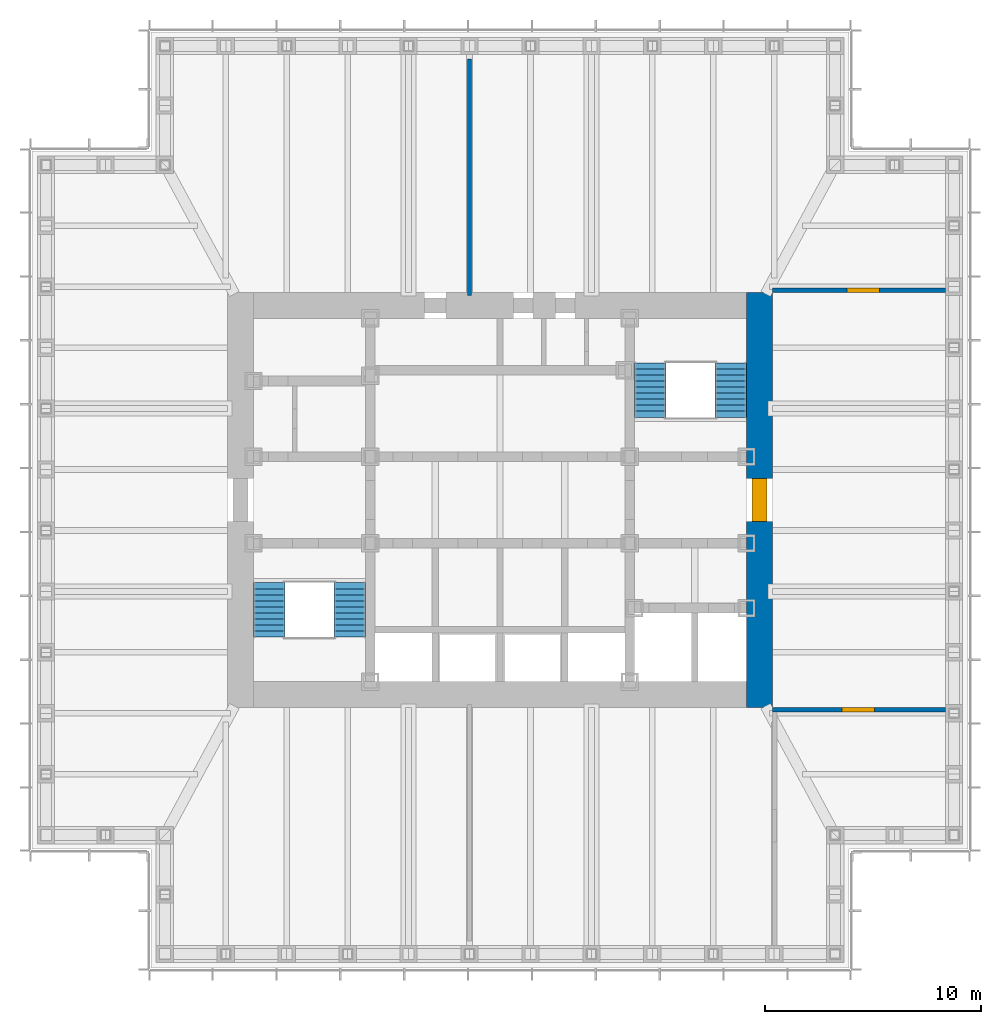
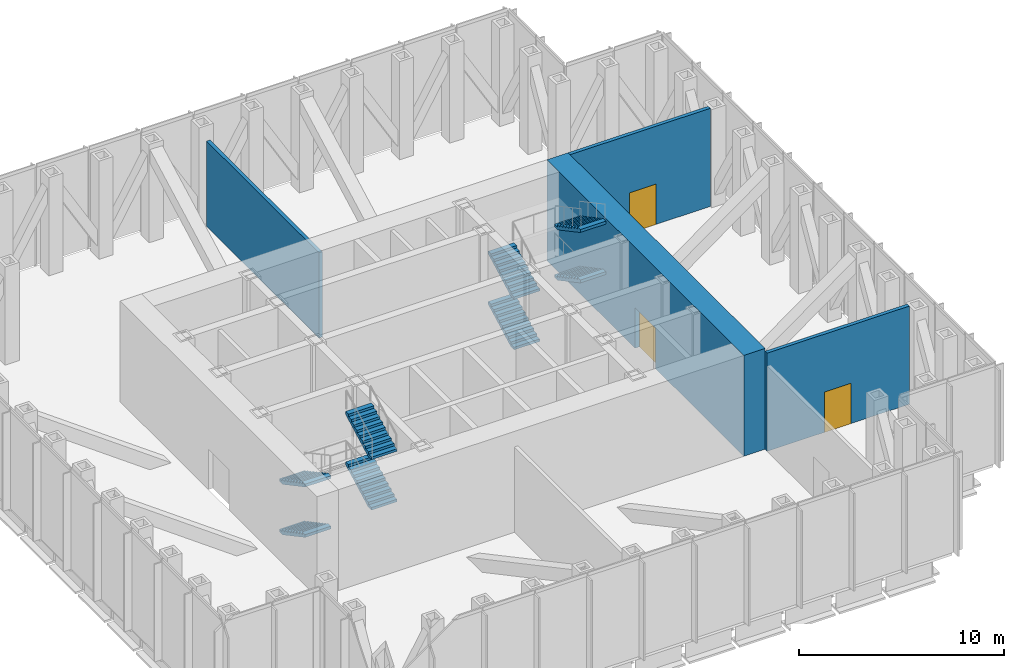
# One storey, part 8 of 12: 8 stair flights, 4 walls, 3 doors, 3 openings, 2 elements without a shape of their own.
"""IFC4 building model written with IfcOpenShell, lengths in metres."""

from ifc_helpers import new_model, si_unit, direction, frame, frame_2d, origin, place, context, subcontext, project, spatial, polyline, rectangle, outline, extrude, material, layer, layer_set, type_object, element, fill, aggregate, save


model = new_model("IFC4")

# Units and contexts
model_context = context("Model", 3, precision=1e-05, world=origin(), true_north=direction((0.0, 1.0)))
body_context = subcontext(model_context, "Body", "Model", "MODEL_VIEW")
ifc_project = project(units=[si_unit("LENGTHUNIT", "METRE"), si_unit("AREAUNIT", "SQUARE_METRE"), si_unit("VOLUMEUNIT", "CUBIC_METRE"), si_unit("PLANEANGLEUNIT", "RADIAN"), si_unit("MASSUNIT", "GRAM", prefix="KILO")], contexts=[model_context])

# Site, building, storey
site_placement = place(None, origin())
site = spatial("IfcSite", under=ifc_project, at=site_placement, CompositionType="ELEMENT")
building_placement = place(site_placement, origin())
building = spatial("IfcBuilding", under=site, at=building_placement, Name="Daluyong Arena Tower", CompositionType="ELEMENT")
storey_placement = place(building_placement, frame((0.0, 0.0, 244.300048828125)))
storey = spatial("IfcBuildingStorey", under=building, at=storey_placement, Name="L55", CompositionType="ELEMENT", Elevation=244.300048828125)

# Wall, opening, door
ifc_material_1 = material(Name="Concrete fc' 60 MPa", Category="concrete")
ifc_layer_1 = layer(ifc_material_1, 1.199951171875)
ifc_layer_set_1 = layer_set([ifc_layer_1], Name="Concrete fc' 60 MPa")
wall_type_1 = type_object("IfcWallType", Name="Core wall 1200", PredefinedType="SHEAR", material=ifc_layer_set_1)
wall_1_placement = place(storey_placement, frame((68.0, 70.39990234375, 0.0), z_axis=(0.0, 0.0, 1.0), x_axis=(0.0, 1.0, 0.0)))
wall_1 = element("IfcWall", 1, at=wall_1_placement, inside=storey, type_object=wall_type_1, Name="core wall at L55", PredefinedType="SHEAR", context=body_context, shape_type="SweptSolid", body=[
    extrude(rectangle(XDim=19.2001953125, YDim=1.199951171875, at=frame_2d((9.60009765625, 0.0))), origin(), (0.0, 0.0, 1.0), 6.0),
])
opening_1_placement = place(wall_1_placement, frame((8.60009765625, 0.0, 0.0)))
opening_1 = element("IfcOpeningElement", 2, at=opening_1_placement, cuts=wall_1, Name="Opening 55019", PredefinedType="OPENING", context=body_context, shape_type="SweptSolid", body=[
    extrude(rectangle(XDim=2.0, YDim=2.39990234375, at=frame_2d((1.0, 1.199951171875))), frame((0.0, 0.60986328125, 0.0), z_axis=(0.0, -1.0, 0.0), x_axis=(1.0, 0.0, 0.0)), (0.0, 0.0, 1.0), 1.219970703125),
])
ifc_material_2 = material(Name="Steel door, fire rated", Category="steel")
door_type_1 = type_object("IfcDoorType", Name="Core lobby double door 2000", OperationType="DOUBLE_DOOR_SINGLE_SWING", PredefinedType="DOOR", material=ifc_material_2)
door_1_placement = place(opening_1_placement, origin())
door_1 = element("IfcDoor", 3, at=door_1_placement, inside=storey, type_object=door_type_1, Name="mechanical plant room door 55019", OperationType="DOUBLE_DOOR_SINGLE_SWING", OverallHeight=2.39990234375, OverallWidth=2.0, PredefinedType="DOOR", context=body_context, shape_type="SweptSolid", body=[
    extrude(rectangle(XDim=2.0, YDim=2.39990234375, at=frame_2d((1.0, 1.199951171875))), frame((0.0, 0.35009765625, 0.0), z_axis=(0.0, -1.0, 0.0), x_axis=(1.0, 0.0, 0.0)), (0.0, 0.0, 1.0), 0.699951171875),
])
fill(opening_1, door_1)

# Wall
ifc_material_3 = material(Name="Concrete block partition, fire rated", Category="concrete")
ifc_layer_2 = layer(ifc_material_3, 0.199951171875)
ifc_layer_set_2 = layer_set([ifc_layer_2], Name="Concrete block partition, fire rated")
wall_type_2 = type_object("IfcWallType", Name="Fire-rated partition 200", PredefinedType="PARTITIONING", material=ifc_layer_set_2)
wall_2_placement = place(storey_placement, frame((54.5908203125, 89.449951171875, 0.0), z_axis=(0.0, 0.0, 1.0), x_axis=(0.0, 1.0, 0.0)))
element("IfcWall", 4, at=wall_2_placement, inside=storey, type_object=wall_type_2, Name="refuge separation wall at L55", PredefinedType="PARTITIONING", context=body_context, shape_type="SweptSolid", body=[
    extrude(rectangle(XDim=10.949951171875, YDim=0.199951171875, at=frame_2d((5.47509765625, 0.0))), origin(), (0.0, 0.0, 1.0), 5.077880859375),
])

# Wall, opening, door
wall_3_placement = place(storey_placement, frame((68.60009765625, 89.699951171875, 0.0), z_axis=(0.0, 0.0, 1.0), x_axis=(1.0, 0.0, 0.0)))
wall_3 = element("IfcWall", 5, at=wall_3_placement, inside=storey, type_object=wall_type_2, Name="plant room partition at L55", PredefinedType="PARTITIONING", context=body_context, shape_type="SweptSolid", body=[
    extrude(rectangle(XDim=8.0, YDim=0.199951171875, at=frame_2d((4.0, 0.0))), origin(), (0.0, 0.0, 1.0), 5.83984375),
])
opening_2_placement = place(wall_3_placement, frame((3.449951171875, 0.0, 0.0)))
opening_2 = element("IfcOpeningElement", 6, at=opening_2_placement, cuts=wall_3, Name="Opening 55025", PredefinedType="OPENING", context=body_context, shape_type="SweptSolid", body=[
    extrude(rectangle(XDim=1.5, YDim=2.39990234375, at=frame_2d((0.75, 1.199951171875))), frame((0.0, 0.10986328125, 0.0), z_axis=(0.0, -1.0, 0.0), x_axis=(1.0, 0.0, 0.0)), (0.0, 0.0, 1.0), 0.219970703125),
])
ifc_material_4 = material(Name="Steel door, fire rated", Category="steel")
door_type_2 = type_object("IfcDoorType", Name="Plant room door 1500", OperationType="DOUBLE_DOOR_SINGLE_SWING", PredefinedType="DOOR", material=ifc_material_4)
door_2_placement = place(opening_2_placement, origin())
door_2 = element("IfcDoor", 7, at=door_2_placement, inside=storey, type_object=door_type_2, Name="chiller plant room door 55025", OperationType="DOUBLE_DOOR_SINGLE_SWING", OverallHeight=2.39990234375, OverallWidth=1.5, PredefinedType="DOOR", context=body_context, shape_type="SweptSolid", body=[
    extrude(rectangle(XDim=1.5, YDim=2.39990234375, at=frame_2d((0.75, 1.199951171875))), frame((0.0, 0.099609375, 0.0), z_axis=(0.0, -1.0, 0.0), x_axis=(1.0, 0.0, 0.0)), (0.0, 0.0, 1.0), 0.199462890625),
])
fill(opening_2, door_2)

wall_4_placement = place(storey_placement, frame((68.60009765625, 70.300048828125, 0.0), z_axis=(0.0, 0.0, 1.0), x_axis=(1.0, 0.0, 0.0)))
wall_4 = element("IfcWall", 8, at=wall_4_placement, inside=storey, type_object=wall_type_2, Name="plant room partition at L55", PredefinedType="PARTITIONING", context=body_context, shape_type="SweptSolid", body=[
    extrude(rectangle(XDim=8.0, YDim=0.199951171875, at=frame_2d((4.0, 0.0))), origin(), (0.0, 0.0, 1.0), 5.83984375),
])
opening_3_placement = place(wall_4_placement, frame((3.22509765625, 0.0, 0.0)))
opening_3 = element("IfcOpeningElement", 9, at=opening_3_placement, cuts=wall_4, Name="Opening 55026", PredefinedType="OPENING", context=body_context, shape_type="SweptSolid", body=[
    extrude(rectangle(XDim=1.5, YDim=2.39990234375, at=frame_2d((0.75, 1.199951171875))), frame((0.0, 0.10986328125, 0.0), z_axis=(0.0, -1.0, 0.0), x_axis=(1.0, 0.0, 0.0)), (0.0, 0.0, 1.0), 0.219970703125),
])
door_3_placement = place(opening_3_placement, origin())
door_3 = element("IfcDoor", 10, at=door_3_placement, inside=storey, type_object=door_type_2, Name="switch room door 55026", OperationType="DOUBLE_DOOR_SINGLE_SWING", OverallHeight=2.39990234375, OverallWidth=1.5, PredefinedType="DOOR", context=body_context, shape_type="SweptSolid", body=[
    extrude(rectangle(XDim=1.5, YDim=2.39990234375, at=frame_2d((0.75, 1.199951171875))), frame((0.0, 0.099609375, 0.0), z_axis=(0.0, -1.0, 0.0), x_axis=(1.0, 0.0, 0.0)), (0.0, 0.0, 1.0), 0.199462890625),
])
fill(opening_3, door_3)

# Stair, stair flights
ifc_material_5 = material(Name="Concrete fc' 35 MPa", Category="concrete")
stair_type = type_object("IfcStairType", Name="Core exit stair", PredefinedType="HALF_TURN_STAIR", material=ifc_material_5)
stair_1_placement = place(storey_placement, origin())
stair_1 = element("IfcStair", 11, at=stair_1_placement, inside=storey, type_object=stair_type, Name="exit stair A L55", PredefinedType="HALF_TURN_STAIR")
ifc_material_6 = material(Name="Concrete fc' 35 MPa", Category="concrete")
stair_flight_type = type_object("IfcStairFlightType", Name="Core stair flight", PredefinedType="STRAIGHT", material=ifc_material_6)
stair_flight_1_placement = place(storey_placement, frame((45.324951171875, 76.175048828125, 0.0), z_axis=(0.0, 0.0, 1.0), x_axis=(0.0, -1.0, 0.0)))
stair_flight_1 = element("IfcStairFlight", 12, at=stair_flight_1_placement, type_object=stair_flight_type, Name="STA flight 1", NumberOfRisers=10, NumberOfTreads=9, PredefinedType="STRAIGHT", RiserHeight=0.15, TreadLength=0.28, context=body_context, shape_type="SweptSolid", body=[
    extrude(outline(polyline([(0.0, 0.0), (0.0, 0.14990234375), (0.280029296875, 0.14990234375), (0.280029296875, 0.300048828125), (0.56005859375, 0.300048828125), (0.56005859375, 0.449951171875), (0.840087890625, 0.449951171875), (0.840087890625, 0.60009765625), (1.1201171875, 0.60009765625), (1.1201171875, 0.75), (1.39990234375, 0.75), (1.39990234375, 0.89990234375), (1.679931640625, 0.89990234375), (1.679931640625, 1.050048828125), (1.9599609375, 1.050048828125), (1.9599609375, 1.199951171875), (2.239990234375, 1.199951171875), (2.239990234375, 1.35009765625), (2.52001953125, 1.35009765625), (2.52001953125, 1.5), (2.52001953125, 1.179931640625), (0.3173828125, 0.0), (0.0, 0.0)])), frame((0.0, 0.72509765625, 0.0), z_axis=(0.0, -1.0, 0.0), x_axis=(1.0, 0.0, 0.0)), (0.0, 0.0, 1.0), 1.449951171875),
])
stair_flight_2_placement = place(storey_placement, frame((49.050048828125, 73.655029296875, 1.5), z_axis=(0.0, 0.0, 1.0), x_axis=(0.0, 1.0, 0.0)))
stair_flight_2 = element("IfcStairFlight", 13, at=stair_flight_2_placement, type_object=stair_flight_type, Name="STA flight 2", NumberOfRisers=10, NumberOfTreads=9, PredefinedType="STRAIGHT", RiserHeight=0.15, TreadLength=0.28, context=body_context, shape_type="SweptSolid", body=[
    extrude(outline(polyline([(0.0, 0.0), (0.0, 0.14990234375), (0.280029296875, 0.14990234375), (0.280029296875, 0.300048828125), (0.56005859375, 0.300048828125), (0.56005859375, 0.449951171875), (0.840087890625, 0.449951171875), (0.840087890625, 0.60009765625), (1.1201171875, 0.60009765625), (1.1201171875, 0.75), (1.39990234375, 0.75), (1.39990234375, 0.89990234375), (1.679931640625, 0.89990234375), (1.679931640625, 1.050048828125), (1.9599609375, 1.050048828125), (1.9599609375, 1.199951171875), (2.239990234375, 1.199951171875), (2.239990234375, 1.35009765625), (2.52001953125, 1.35009765625), (2.52001953125, 1.5), (2.52001953125, 1.179931640625), (0.3173828125, 0.0), (0.0, 0.0)])), frame((0.0, 0.72509765625, 0.0), z_axis=(0.0, -1.0, 0.0), x_axis=(1.0, 0.0, 0.0)), (0.0, 0.0, 1.0), 1.449951171875),
])
stair_flight_3_placement = place(storey_placement, frame((45.324951171875, 76.175048828125, 3.0), z_axis=(0.0, 0.0, 1.0), x_axis=(0.0, -1.0, 0.0)))
stair_flight_3 = element("IfcStairFlight", 14, at=stair_flight_3_placement, type_object=stair_flight_type, Name="STA flight 3", NumberOfRisers=10, NumberOfTreads=9, PredefinedType="STRAIGHT", RiserHeight=0.15, TreadLength=0.28, context=body_context, shape_type="SweptSolid", body=[
    extrude(outline(polyline([(0.0, 0.0), (0.0, 0.14990234375), (0.280029296875, 0.14990234375), (0.280029296875, 0.300048828125), (0.56005859375, 0.300048828125), (0.56005859375, 0.449951171875), (0.840087890625, 0.449951171875), (0.840087890625, 0.60009765625), (1.1201171875, 0.60009765625), (1.1201171875, 0.75), (1.39990234375, 0.75), (1.39990234375, 0.89990234375), (1.679931640625, 0.89990234375), (1.679931640625, 1.050048828125), (1.9599609375, 1.050048828125), (1.9599609375, 1.199951171875), (2.239990234375, 1.199951171875), (2.239990234375, 1.35009765625), (2.52001953125, 1.35009765625), (2.52001953125, 1.5), (2.52001953125, 1.179931640625), (0.3173828125, 0.0), (0.0, 0.0)])), frame((0.0, 0.72509765625, 0.0), z_axis=(0.0, -1.0, 0.0), x_axis=(1.0, 0.0, 0.0)), (0.0, 0.0, 1.0), 1.449951171875),
])
stair_flight_4_placement = place(storey_placement, frame((49.050048828125, 73.655029296875, 4.5), z_axis=(0.0, 0.0, 1.0), x_axis=(0.0, 1.0, 0.0)))
stair_flight_4 = element("IfcStairFlight", 15, at=stair_flight_4_placement, type_object=stair_flight_type, Name="STA flight 4", NumberOfRisers=10, NumberOfTreads=9, PredefinedType="STRAIGHT", RiserHeight=0.15, TreadLength=0.28, context=body_context, shape_type="SweptSolid", body=[
    extrude(outline(polyline([(0.0, 0.0), (0.0, 0.14990234375), (0.280029296875, 0.14990234375), (0.280029296875, 0.300048828125), (0.56005859375, 0.300048828125), (0.56005859375, 0.449951171875), (0.840087890625, 0.449951171875), (0.840087890625, 0.60009765625), (1.1201171875, 0.60009765625), (1.1201171875, 0.75), (1.39990234375, 0.75), (1.39990234375, 0.89990234375), (1.679931640625, 0.89990234375), (1.679931640625, 1.050048828125), (1.9599609375, 1.050048828125), (1.9599609375, 1.199951171875), (2.239990234375, 1.199951171875), (2.239990234375, 1.35009765625), (2.52001953125, 1.35009765625), (2.52001953125, 1.5), (2.52001953125, 1.179931640625), (0.3173828125, 0.0), (0.0, 0.0)])), frame((0.0, 0.72509765625, 0.0), z_axis=(0.0, -1.0, 0.0), x_axis=(1.0, 0.0, 0.0)), (0.0, 0.0, 1.0), 1.449951171875),
])
aggregate(stair_1, [stair_flight_1, stair_flight_2, stair_flight_3, stair_flight_4])

stair_2_placement = place(storey_placement, origin())
stair_2 = element("IfcStair", 16, at=stair_2_placement, inside=storey, type_object=stair_type, Name="exit stair B L55", PredefinedType="HALF_TURN_STAIR")
stair_flight_5_placement = place(storey_placement, frame((62.949951171875, 83.824951171875, 0.0), z_axis=(0.0, 0.0, 1.0), x_axis=(0.0, 1.0, 0.0)))
stair_flight_5 = element("IfcStairFlight", 17, at=stair_flight_5_placement, type_object=stair_flight_type, Name="STB flight 1", NumberOfRisers=10, NumberOfTreads=9, PredefinedType="STRAIGHT", RiserHeight=0.15, TreadLength=0.28, context=body_context, shape_type="SweptSolid", body=[
    extrude(outline(polyline([(0.0, 0.0), (0.0, 0.14990234375), (0.280029296875, 0.14990234375), (0.280029296875, 0.300048828125), (0.56005859375, 0.300048828125), (0.56005859375, 0.449951171875), (0.840087890625, 0.449951171875), (0.840087890625, 0.60009765625), (1.1201171875, 0.60009765625), (1.1201171875, 0.75), (1.39990234375, 0.75), (1.39990234375, 0.89990234375), (1.679931640625, 0.89990234375), (1.679931640625, 1.050048828125), (1.9599609375, 1.050048828125), (1.9599609375, 1.199951171875), (2.239990234375, 1.199951171875), (2.239990234375, 1.35009765625), (2.52001953125, 1.35009765625), (2.52001953125, 1.5), (2.52001953125, 1.179931640625), (0.3173828125, 0.0), (0.0, 0.0)])), frame((0.0, 0.72509765625, 0.0), z_axis=(0.0, -1.0, 0.0), x_axis=(1.0, 0.0, 0.0)), (0.0, 0.0, 1.0), 1.449951171875),
])
stair_flight_6_placement = place(storey_placement, frame((66.675048828125, 86.344970703125, 1.5), z_axis=(0.0, 0.0, 1.0), x_axis=(0.0, -1.0, 0.0)))
stair_flight_6 = element("IfcStairFlight", 18, at=stair_flight_6_placement, type_object=stair_flight_type, Name="STB flight 2", NumberOfRisers=10, NumberOfTreads=9, PredefinedType="STRAIGHT", RiserHeight=0.15, TreadLength=0.28, context=body_context, shape_type="SweptSolid", body=[
    extrude(outline(polyline([(0.0, 0.0), (0.0, 0.14990234375), (0.280029296875, 0.14990234375), (0.280029296875, 0.300048828125), (0.56005859375, 0.300048828125), (0.56005859375, 0.449951171875), (0.840087890625, 0.449951171875), (0.840087890625, 0.60009765625), (1.1201171875, 0.60009765625), (1.1201171875, 0.75), (1.39990234375, 0.75), (1.39990234375, 0.89990234375), (1.679931640625, 0.89990234375), (1.679931640625, 1.050048828125), (1.9599609375, 1.050048828125), (1.9599609375, 1.199951171875), (2.239990234375, 1.199951171875), (2.239990234375, 1.35009765625), (2.52001953125, 1.35009765625), (2.52001953125, 1.5), (2.52001953125, 1.179931640625), (0.3173828125, 0.0), (0.0, 0.0)])), frame((0.0, 0.72509765625, 0.0), z_axis=(0.0, -1.0, 0.0), x_axis=(1.0, 0.0, 0.0)), (0.0, 0.0, 1.0), 1.449951171875),
])
stair_flight_7_placement = place(storey_placement, frame((62.949951171875, 83.824951171875, 3.0), z_axis=(0.0, 0.0, 1.0), x_axis=(0.0, 1.0, 0.0)))
stair_flight_7 = element("IfcStairFlight", 19, at=stair_flight_7_placement, type_object=stair_flight_type, Name="STB flight 3", NumberOfRisers=10, NumberOfTreads=9, PredefinedType="STRAIGHT", RiserHeight=0.15, TreadLength=0.28, context=body_context, shape_type="SweptSolid", body=[
    extrude(outline(polyline([(0.0, 0.0), (0.0, 0.14990234375), (0.280029296875, 0.14990234375), (0.280029296875, 0.300048828125), (0.56005859375, 0.300048828125), (0.56005859375, 0.449951171875), (0.840087890625, 0.449951171875), (0.840087890625, 0.60009765625), (1.1201171875, 0.60009765625), (1.1201171875, 0.75), (1.39990234375, 0.75), (1.39990234375, 0.89990234375), (1.679931640625, 0.89990234375), (1.679931640625, 1.050048828125), (1.9599609375, 1.050048828125), (1.9599609375, 1.199951171875), (2.239990234375, 1.199951171875), (2.239990234375, 1.35009765625), (2.52001953125, 1.35009765625), (2.52001953125, 1.5), (2.52001953125, 1.179931640625), (0.3173828125, 0.0), (0.0, 0.0)])), frame((0.0, 0.72509765625, 0.0), z_axis=(0.0, -1.0, 0.0), x_axis=(1.0, 0.0, 0.0)), (0.0, 0.0, 1.0), 1.449951171875),
])
stair_flight_8_placement = place(storey_placement, frame((66.675048828125, 86.344970703125, 4.5), z_axis=(0.0, 0.0, 1.0), x_axis=(0.0, -1.0, 0.0)))
stair_flight_8 = element("IfcStairFlight", 20, at=stair_flight_8_placement, type_object=stair_flight_type, Name="STB flight 4", NumberOfRisers=10, NumberOfTreads=9, PredefinedType="STRAIGHT", RiserHeight=0.15, TreadLength=0.28, context=body_context, shape_type="SweptSolid", body=[
    extrude(outline(polyline([(0.0, 0.0), (0.0, 0.14990234375), (0.280029296875, 0.14990234375), (0.280029296875, 0.300048828125), (0.56005859375, 0.300048828125), (0.56005859375, 0.449951171875), (0.840087890625, 0.449951171875), (0.840087890625, 0.60009765625), (1.1201171875, 0.60009765625), (1.1201171875, 0.75), (1.39990234375, 0.75), (1.39990234375, 0.89990234375), (1.679931640625, 0.89990234375), (1.679931640625, 1.050048828125), (1.9599609375, 1.050048828125), (1.9599609375, 1.199951171875), (2.239990234375, 1.199951171875), (2.239990234375, 1.35009765625), (2.52001953125, 1.35009765625), (2.52001953125, 1.5), (2.52001953125, 1.179931640625), (0.3173828125, 0.0), (0.0, 0.0)])), frame((0.0, 0.72509765625, 0.0), z_axis=(0.0, -1.0, 0.0), x_axis=(1.0, 0.0, 0.0)), (0.0, 0.0, 1.0), 1.449951171875),
])
aggregate(stair_2, [stair_flight_5, stair_flight_6, stair_flight_7, stair_flight_8])

save(model, "model.ifc")
